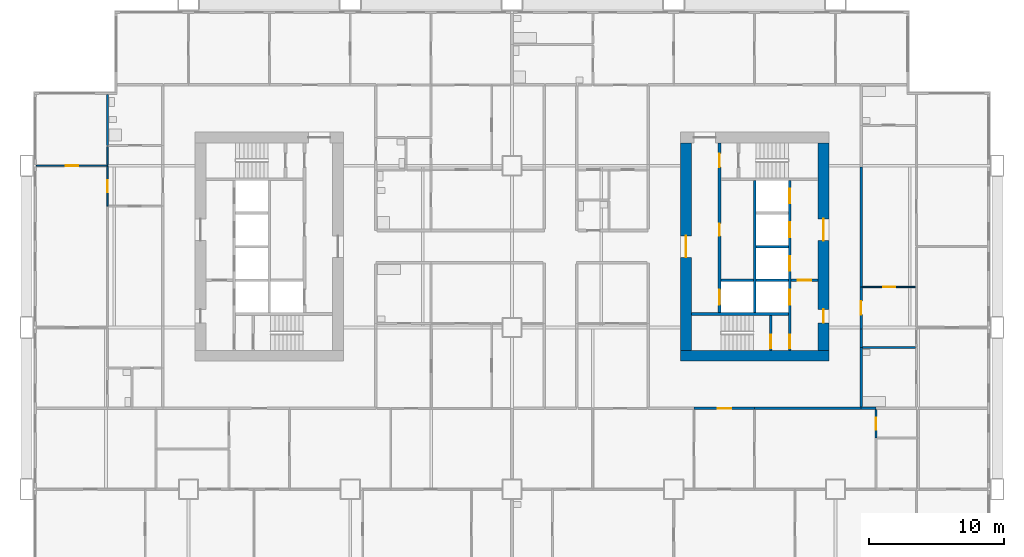
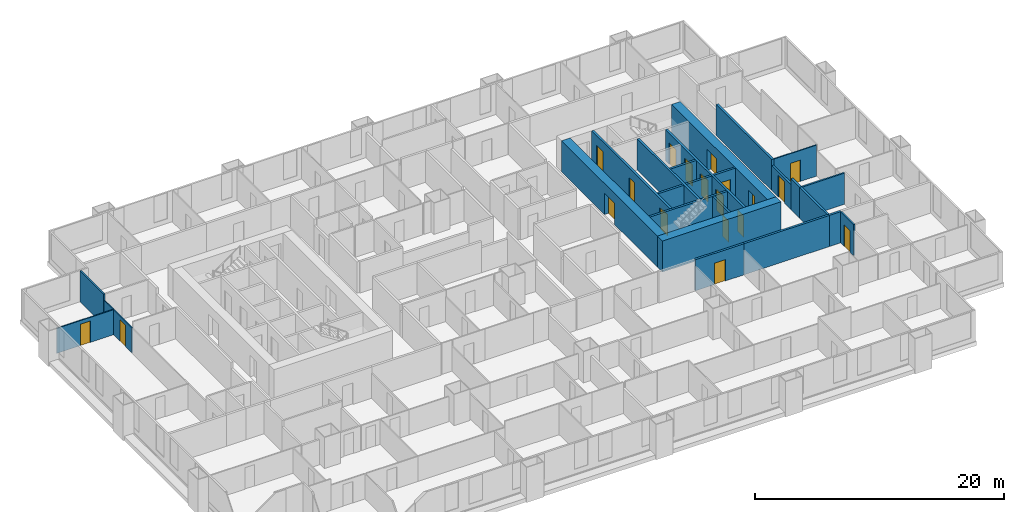
# One storey, part 7 of 14: 26 walls, 19 doors, 19 openings.
"""IFC4 building model written with IfcOpenShell, lengths in metres."""

from ifc_helpers import new_model, si_unit, direction, frame, frame_2d, origin, place, context, subcontext, project, spatial, rectangle, extrude, material, layer, layer_set, type_object, element, fill, save


model = new_model("IFC4")

# Units and contexts
model_context = context("Model", 3, precision=1e-05, world=origin(), true_north=direction((0.0, 1.0)))
body_context = subcontext(model_context, "Body", "Model", "MODEL_VIEW")
ifc_project = project(units=[si_unit("LENGTHUNIT", "METRE"), si_unit("AREAUNIT", "SQUARE_METRE"), si_unit("VOLUMEUNIT", "CUBIC_METRE"), si_unit("PLANEANGLEUNIT", "RADIAN"), si_unit("MASSUNIT", "GRAM", prefix="KILO")], contexts=[model_context])

# Site, building, storey
site_placement = place(None, origin())
site = spatial("IfcSite", under=ifc_project, at=site_placement, CompositionType="ELEMENT")
building_placement = place(site_placement, origin())
building = spatial("IfcBuilding", under=site, at=building_placement, Name="Kitamizu Gate Tower and Museum", CompositionType="ELEMENT")
storey_placement = place(building_placement, frame((0.0, 0.0, 85.199951171875)))
storey = spatial("IfcBuildingStorey", under=building, at=storey_placement, Name="L21", CompositionType="ELEMENT", Elevation=85.199951171875)

# Wall
ifc_material_1 = material(Name="Concrete Fc60", Category="concrete")
ifc_layer_1 = layer(ifc_material_1, 0.800048828125)
ifc_layer_set_1 = layer_set([ifc_layer_1], Name="Concrete Fc60")
wall_type_1 = type_object("IfcWallType", Name="Core wall 800", PredefinedType="SHEAR", material=ifc_layer_set_1)
wall_1_placement = place(storey_placement, frame((59.5, 21.89990234375, 0.0), z_axis=(0.0, 0.0, 1.0), x_axis=(-1.0, 0.0, 0.0)))
element("IfcWall", 1, at=wall_1_placement, inside=storey, type_object=wall_type_1, Name="Core wall ES", PredefinedType="SHEAR", context=body_context, shape_type="SweptSolid", body=[
    extrude(rectangle(XDim=11.0, YDim=0.800048828125, at=frame_2d((5.5, 0.0))), origin(), (0.0, 0.0, 1.0), 3.050048828125),
])

# Wall, openings, doors
wall_2_placement = place(storey_placement, frame((59.10009765625, 22.300048828125, 0.0), z_axis=(0.0, 0.0, 1.0), x_axis=(0.0, 1.0, 0.0)))
wall_2 = element("IfcWall", 2, at=wall_2_placement, inside=storey, type_object=wall_type_1, Name="Core wall EOUT", PredefinedType="SHEAR", context=body_context, shape_type="SweptSolid", body=[
    extrude(rectangle(XDim=15.39990234375, YDim=0.800048828125, at=frame_2d((7.699951171875, 0.0))), origin(), (0.0, 0.0, 1.0), 3.050048828125),
])
opening_1_placement = place(wall_2_placement, frame((8.14990234375, 0.0, 0.0)))
opening_1 = element("IfcOpeningElement", 3, at=opening_1_placement, cuts=wall_2, Name="Opening L21-091", PredefinedType="OPENING", context=body_context, shape_type="SweptSolid", body=[
    extrude(rectangle(XDim=1.60009765625, YDim=2.10009765625, at=frame_2d((0.800048828125, 1.050048828125))), frame((0.0, 0.41015625, 0.0), z_axis=(0.0, -1.0, 0.0), x_axis=(1.0, 0.0, 0.0)), (0.0, 0.0, 1.0), 0.820068359375),
])
opening_2_placement = place(wall_2_placement, frame((2.050048828125, 0.0, 0.0)))
opening_2 = element("IfcOpeningElement", 4, at=opening_2_placement, cuts=wall_2, Name="Opening L21-092", PredefinedType="OPENING", context=body_context, shape_type="SweptSolid", body=[
    extrude(rectangle(XDim=1.0, YDim=2.10009765625, at=frame_2d((0.5, 1.050048828125))), frame((0.0, 0.41015625, 0.0), z_axis=(0.0, -1.0, 0.0), x_axis=(1.0, 0.0, 0.0)), (0.0, 0.0, 1.0), 0.820068359375),
])
ifc_material_2 = material(Name="Timber door set", Category="wood")
door_type_1 = type_object("IfcDoorType", Name="Entrance door 1600", OperationType="DOUBLE_DOOR_SINGLE_SWING", PredefinedType="DOOR", material=ifc_material_2)
door_1_placement = place(opening_1_placement, origin())
door_1 = element("IfcDoor", 5, at=door_1_placement, inside=storey, type_object=door_type_1, Name="Lobby door L21-091", OperationType="DOUBLE_DOOR_SINGLE_SWING", OverallHeight=2.10009765625, OverallWidth=1.60009765625, PredefinedType="DOOR", context=body_context, shape_type="SweptSolid", body=[
    extrude(rectangle(XDim=1.60009765625, YDim=2.10009765625, at=frame_2d((0.800048828125, 1.050048828125))), frame((0.0, 0.02490234375, 0.0), z_axis=(0.0, -1.0, 0.0), x_axis=(1.0, 0.0, 0.0)), (0.0, 0.0, 1.0), 0.050048828125),
])
fill(opening_1, door_1)
ifc_material_3 = material(Name="Hollow metal door set")
door_type_2 = type_object("IfcDoorType", Name="Fire door 1000", OperationType="NOTDEFINED", PredefinedType="DOOR", material=ifc_material_3)
door_2_placement = place(opening_2_placement, origin())
door_2 = element("IfcDoor", 6, at=door_2_placement, inside=storey, type_object=door_type_2, Name="Fire-fighting lobby door L21-092", OperationType="SINGLE_SWING_RIGHT", OverallHeight=2.10009765625, OverallWidth=1.0, PredefinedType="DOOR", context=body_context, shape_type="SweptSolid", body=[
    extrude(rectangle(XDim=1.0, YDim=2.10009765625, at=frame_2d((0.5, 1.050048828125))), frame((0.0, 0.02490234375, 0.0), z_axis=(0.0, -1.0, 0.0), x_axis=(1.0, 0.0, 0.0)), (0.0, 0.0, 1.0), 0.050048828125),
])
fill(opening_2, door_2)

# Wall, opening, door
wall_3_placement = place(storey_placement, frame((48.89990234375, 22.300048828125, 0.0), z_axis=(0.0, 0.0, 1.0), x_axis=(0.0, 1.0, 0.0)))
wall_3 = element("IfcWall", 7, at=wall_3_placement, inside=storey, type_object=wall_type_1, Name="Core wall EARC", PredefinedType="SHEAR", context=body_context, shape_type="SweptSolid", body=[
    extrude(rectangle(XDim=15.39990234375, YDim=0.800048828125, at=frame_2d((7.699951171875, 0.0))), origin(), (0.0, 0.0, 1.0), 3.050048828125),
])
opening_3_placement = place(wall_3_placement, frame((6.89990234375, 0.0, 0.0)))
opening_3 = element("IfcOpeningElement", 8, at=opening_3_placement, cuts=wall_3, Name="Opening L21-094", PredefinedType="OPENING", context=body_context, shape_type="SweptSolid", body=[
    extrude(rectangle(XDim=1.60009765625, YDim=2.10009765625, at=frame_2d((0.800048828125, 1.050048828125))), frame((0.0, 0.41015625, 0.0), z_axis=(0.0, -1.0, 0.0), x_axis=(1.0, 0.0, 0.0)), (0.0, 0.0, 1.0), 0.820068359375),
])
door_3_placement = place(opening_3_placement, origin())
door_3 = element("IfcDoor", 9, at=door_3_placement, inside=storey, type_object=door_type_1, Name="Lobby door L21-094", OperationType="DOUBLE_DOOR_SINGLE_SWING", OverallHeight=2.10009765625, OverallWidth=1.60009765625, PredefinedType="DOOR", context=body_context, shape_type="SweptSolid", body=[
    extrude(rectangle(XDim=1.60009765625, YDim=2.10009765625, at=frame_2d((0.800048828125, 1.050048828125))), frame((0.0, 0.02490234375, 0.0), z_axis=(0.0, -1.0, 0.0), x_axis=(1.0, 0.0, 0.0)), (0.0, 0.0, 1.0), 0.050048828125),
])
fill(opening_3, door_3)

ifc_material_4 = material(Name="Gypsum board on galvanised stud")
ifc_layer_2 = layer(ifc_material_4, 0.10009765625)
ifc_layer_set_2 = layer_set([ifc_layer_2], Name="Gypsum board on galvanised stud")
wall_type_2 = type_object("IfcWallType", Name="Partition 100 NOT RATED", PredefinedType="PARTITIONING", material=ifc_layer_set_2)
wall_4_placement = place(storey_placement, frame((6.0, 36.0, 0.0), z_axis=(0.0, 0.0, 1.0), x_axis=(-1.0, 0.0, 0.0)))
wall_4 = element("IfcWall", 10, at=wall_4_placement, inside=storey, type_object=wall_type_2, Name="Partition L21-066", PredefinedType="PARTITIONING", context=body_context, shape_type="SweptSolid", body=[
    extrude(rectangle(XDim=5.280029296875, YDim=0.10009765625, at=frame_2d((2.64013671875, 0.0))), origin(), (0.0, 0.0, 1.0), 2.449951171875),
])
opening_4_placement = place(wall_4_placement, frame((2.18994140625, 0.0, 0.0)))
opening_4 = element("IfcOpeningElement", 11, at=opening_4_placement, cuts=wall_4, Name="Opening L21-026", PredefinedType="OPENING", context=body_context, shape_type="SweptSolid", body=[
    extrude(rectangle(XDim=0.89990234375, YDim=2.10009765625, at=frame_2d((0.449951171875, 1.050048828125))), frame((0.0, 0.06005859375, 0.0), z_axis=(0.0, -1.0, 0.0), x_axis=(1.0, 0.0, 0.0)), (0.0, 0.0, 1.0), 0.1201171875),
])
ifc_material_5 = material(Name="Timber door set", Category="wood")
door_type_3 = type_object("IfcDoorType", Name="Room door 900", OperationType="NOTDEFINED", PredefinedType="DOOR", material=ifc_material_5)
door_4_placement = place(opening_4_placement, frame((0.89990234375, 0.0, 0.0), x_axis=(-1.0, 0.0, 0.0)))
door_4 = element("IfcDoor", 12, at=door_4_placement, inside=storey, type_object=door_type_3, Name="Door L21-026", OperationType="SINGLE_SWING_LEFT", OverallHeight=2.10009765625, OverallWidth=0.89990234375, PredefinedType="DOOR", context=body_context, shape_type="SweptSolid", body=[
    extrude(rectangle(XDim=0.89990234375, YDim=2.10009765625, at=frame_2d((0.449951171875, 1.050048828125))), frame((0.0, 0.02490234375, 0.0), z_axis=(0.0, -1.0, 0.0), x_axis=(1.0, 0.0, 0.0)), (0.0, 0.0, 1.0), 0.050048828125),
])
fill(opening_4, door_4)

wall_5_placement = place(storey_placement, frame((6.0, 33.0, 0.0), z_axis=(0.0, 0.0, 1.0), x_axis=(0.0, 1.0, 0.0)))
wall_5 = element("IfcWall", 13, at=wall_5_placement, inside=storey, type_object=wall_type_2, Name="Partition L21-068", PredefinedType="PARTITIONING", context=body_context, shape_type="SweptSolid", body=[
    extrude(rectangle(XDim=2.949951171875, YDim=0.10009765625, at=frame_2d((1.47509765625, 0.0))), origin(), (0.0, 0.0, 1.0), 2.449951171875),
])
opening_5_placement = place(wall_5_placement, frame((1.02490234375, 0.0, 0.0)))
opening_5 = element("IfcOpeningElement", 14, at=opening_5_placement, cuts=wall_5, Name="Opening L21-022", PredefinedType="OPENING", context=body_context, shape_type="SweptSolid", body=[
    extrude(rectangle(XDim=0.89990234375, YDim=2.10009765625, at=frame_2d((0.449951171875, 1.050048828125))), frame((0.0, 0.06005859375, 0.0), z_axis=(0.0, -1.0, 0.0), x_axis=(1.0, 0.0, 0.0)), (0.0, 0.0, 1.0), 0.1201171875),
])
door_5_placement = place(opening_5_placement, origin())
door_5 = element("IfcDoor", 15, at=door_5_placement, inside=storey, type_object=door_type_3, Name="Door L21-022", OperationType="SINGLE_SWING_LEFT", OverallHeight=2.10009765625, OverallWidth=0.89990234375, PredefinedType="DOOR", context=body_context, shape_type="SweptSolid", body=[
    extrude(rectangle(XDim=0.89990234375, YDim=2.10009765625, at=frame_2d((0.449951171875, 1.050048828125))), frame((0.0, 0.02490234375, 0.0), z_axis=(0.0, -1.0, 0.0), x_axis=(1.0, 0.0, 0.0)), (0.0, 0.0, 1.0), 0.050048828125),
])
fill(opening_5, door_5)

# Wall
wall_6_placement = place(storey_placement, frame((6.0, 36.050048828125, 0.0), z_axis=(0.0, 0.0, 1.0), x_axis=(0.0, 1.0, 0.0)))
element("IfcWall", 16, at=wall_6_placement, inside=storey, type_object=wall_type_2, Name="Partition L21-069", PredefinedType="PARTITIONING", context=body_context, shape_type="SweptSolid", body=[
    extrude(rectangle(XDim=1.375, YDim=0.10009765625, at=frame_2d((0.6875, 0.0))), origin(), (0.0, 0.0, 1.0), 2.449951171875),
])

# Wall, opening, door
wall_7_placement = place(storey_placement, frame((65.949951171875, 27.0, 0.0), z_axis=(0.0, 0.0, 1.0), x_axis=(-1.0, 0.0, 0.0)))
wall_7 = element("IfcWall", 17, at=wall_7_placement, inside=storey, type_object=wall_type_2, Name="Partition L21-180", PredefinedType="PARTITIONING", context=body_context, shape_type="SweptSolid", body=[
    extrude(rectangle(XDim=3.949951171875, YDim=0.10009765625, at=frame_2d((1.97509765625, 0.0))), origin(), (0.0, 0.0, 1.0), 3.050048828125),
])
opening_6_placement = place(wall_7_placement, frame((1.52490234375, 0.0, 0.0)))
opening_6 = element("IfcOpeningElement", 18, at=opening_6_placement, cuts=wall_7, Name="Opening L21-061", PredefinedType="OPENING", context=body_context, shape_type="SweptSolid", body=[
    extrude(rectangle(XDim=0.89990234375, YDim=2.10009765625, at=frame_2d((0.449951171875, 1.050048828125))), frame((0.0, 0.06005859375, 0.0), z_axis=(0.0, -1.0, 0.0), x_axis=(1.0, 0.0, 0.0)), (0.0, 0.0, 1.0), 0.1201171875),
])
door_6_placement = place(opening_6_placement, origin())
door_6 = element("IfcDoor", 19, at=door_6_placement, inside=storey, type_object=door_type_3, Name="Door L21-061", OperationType="SINGLE_SWING_LEFT", OverallHeight=2.10009765625, OverallWidth=0.89990234375, PredefinedType="DOOR", context=body_context, shape_type="SweptSolid", body=[
    extrude(rectangle(XDim=0.89990234375, YDim=2.10009765625, at=frame_2d((0.449951171875, 1.050048828125))), frame((0.0, 0.02490234375, 0.0), z_axis=(0.0, -1.0, 0.0), x_axis=(1.0, 0.0, 0.0)), (0.0, 0.0, 1.0), 0.050048828125),
])
fill(opening_6, door_6)

# Wall
ifc_material_6 = material(Name="Gypsum board on galvanised stud")
ifc_layer_3 = layer(ifc_material_6, 0.14990234375)
ifc_layer_set_3 = layer_set([ifc_layer_3], Name="Gypsum board on galvanised stud")
wall_type_3 = type_object("IfcWallType", Name="Partition 150", PredefinedType="PARTITIONING", material=ifc_layer_set_3)
wall_8_placement = place(storey_placement, frame((6.0, 37.5, 0.0), z_axis=(0.0, 0.0, 1.0), x_axis=(0.0, 1.0, 0.0)))
element("IfcWall", 20, at=wall_8_placement, inside=storey, type_object=wall_type_3, Name="Partition L21-070", PredefinedType="PARTITIONING", context=body_context, shape_type="SweptSolid", body=[
    extrude(rectangle(XDim=3.780029296875, YDim=0.14990234375, at=frame_2d((1.89013671875, 0.0))), origin(), (0.0, 0.0, 1.0), 3.050048828125),
])

# Wall, opening, door
wall_9_placement = place(storey_placement, frame((63.0, 15.81396484375, 0.0), z_axis=(0.0, 0.0, 1.0), x_axis=(0.0, 1.0, 0.0)))
wall_9 = element("IfcWall", 21, at=wall_9_placement, inside=storey, type_object=wall_type_3, Name="Partition L21-154", PredefinedType="PARTITIONING", context=body_context, shape_type="SweptSolid", body=[
    extrude(rectangle(XDim=2.0859375, YDim=0.14990234375, at=frame_2d((1.04296875, 0.0))), origin(), (0.0, 0.0, 1.0), 3.050048828125),
])
opening_7_placement = place(wall_9_placement, frame((0.593017578125, 0.0, 0.0)))
opening_7 = element("IfcOpeningElement", 22, at=opening_7_placement, cuts=wall_9, Name="Opening L21-056", PredefinedType="OPENING", context=body_context, shape_type="SweptSolid", body=[
    extrude(rectangle(XDim=0.89990234375, YDim=2.10009765625, at=frame_2d((0.449951171875, 1.050048828125))), frame((0.0, 0.0849609375, 0.0), z_axis=(0.0, -1.0, 0.0), x_axis=(1.0, 0.0, 0.0)), (0.0, 0.0, 1.0), 0.169921875),
])
ifc_material_7 = material(Name="Timber door set", Category="wood")
door_type_4 = type_object("IfcDoorType", Name="Bathroom door 900", OperationType="NOTDEFINED", PredefinedType="DOOR", material=ifc_material_7)
door_7_placement = place(opening_7_placement, frame((0.89990234375, 0.0, 0.0), x_axis=(-1.0, 0.0, 0.0)))
door_7 = element("IfcDoor", 23, at=door_7_placement, inside=storey, type_object=door_type_4, Name="Bathroom door L21-056", OperationType="SINGLE_SWING_LEFT", OverallHeight=2.10009765625, OverallWidth=0.89990234375, PredefinedType="DOOR", context=body_context, shape_type="SweptSolid", body=[
    extrude(rectangle(XDim=0.89990234375, YDim=2.10009765625, at=frame_2d((0.449951171875, 1.050048828125))), frame((0.0, 0.02490234375, 0.0), z_axis=(0.0, -1.0, 0.0), x_axis=(1.0, 0.0, 0.0)), (0.0, 0.0, 1.0), 0.050048828125),
])
fill(opening_7, door_7)

# Wall
wall_10_placement = place(storey_placement, frame((65.925048828125, 22.5, 0.0), z_axis=(0.0, 0.0, 1.0), x_axis=(-1.0, 0.0, 0.0)))
element("IfcWall", 24, at=wall_10_placement, inside=storey, type_object=wall_type_3, Name="Partition L21-178", PredefinedType="PARTITIONING", context=body_context, shape_type="SweptSolid", body=[
    extrude(rectangle(XDim=3.925048828125, YDim=0.14990234375, at=frame_2d((1.96240234375, 0.0))), origin(), (0.0, 0.0, 1.0), 3.050048828125),
])

# Wall, opening, door
ifc_material_8 = material(Name="Gypsum board on galvanised stud")
ifc_layer_4 = layer(ifc_material_8, 0.199951171875)
ifc_layer_set_4 = layer_set([ifc_layer_4], Name="Gypsum board on galvanised stud")
wall_type_4 = type_object("IfcWallType", Name="Partition 200", PredefinedType="PARTITIONING", material=ifc_layer_set_4)
wall_11_placement = place(storey_placement, frame((54.0, 18.0, 0.0), z_axis=(0.0, 0.0, 1.0), x_axis=(-1.0, 0.0, 0.0)))
wall_11 = element("IfcWall", 25, at=wall_11_placement, inside=storey, type_object=wall_type_4, Name="Partition L21-152", PredefinedType="PARTITIONING", context=body_context, shape_type="SweptSolid", body=[
    extrude(rectangle(XDim=4.5, YDim=0.199951171875, at=frame_2d((2.25, 0.0))), origin(), (0.0, 0.0, 1.0), 3.050048828125),
])
opening_8_placement = place(wall_11_placement, frame((1.75, 0.0, 0.0)))
opening_8 = element("IfcOpeningElement", 26, at=opening_8_placement, cuts=wall_11, Name="Opening L21-041", PredefinedType="OPENING", context=body_context, shape_type="SweptSolid", body=[
    extrude(rectangle(XDim=1.0, YDim=2.10009765625, at=frame_2d((0.5, 1.050048828125))), frame((0.0, 0.10986328125, 0.0), z_axis=(0.0, -1.0, 0.0), x_axis=(1.0, 0.0, 0.0)), (0.0, 0.0, 1.0), 0.219970703125),
])
ifc_material_9 = material(Name="Timber door set", Category="wood")
door_type_5 = type_object("IfcDoorType", Name="Flat entrance door 1000", OperationType="NOTDEFINED", PredefinedType="DOOR", material=ifc_material_9)
door_8_placement = place(opening_8_placement, origin())
door_8 = element("IfcDoor", 27, at=door_8_placement, inside=storey, type_object=door_type_5, Name="Flat entrance door L21-041", OperationType="SINGLE_SWING_RIGHT", OverallHeight=2.10009765625, OverallWidth=1.0, PredefinedType="DOOR", context=body_context, shape_type="SweptSolid", body=[
    extrude(rectangle(XDim=1.0, YDim=2.10009765625, at=frame_2d((0.5, 1.050048828125))), frame((0.0, 0.02490234375, 0.0), z_axis=(0.0, -1.0, 0.0), x_axis=(1.0, 0.0, 0.0)), (0.0, 0.0, 1.0), 0.050048828125),
])
fill(opening_8, door_8)

# Walls
wall_12_placement = place(storey_placement, frame((63.0, 18.0, 0.0), z_axis=(0.0, 0.0, 1.0), x_axis=(-1.0, 0.0, 0.0)))
element("IfcWall", 28, at=wall_12_placement, inside=storey, type_object=wall_type_4, Name="Partition L21-155", PredefinedType="PARTITIONING", context=body_context, shape_type="SweptSolid", body=[
    extrude(rectangle(XDim=1.10009765625, YDim=0.199951171875, at=frame_2d((0.550048828125, 0.0))), origin(), (0.0, 0.0, 1.0), 3.050048828125),
])
wall_13_placement = place(storey_placement, frame((61.89990234375, 18.0, 0.0), z_axis=(0.0, 0.0, 1.0), x_axis=(-1.0, 0.0, 0.0)))
element("IfcWall", 29, at=wall_13_placement, inside=storey, type_object=wall_type_4, Name="Partition L21-156", PredefinedType="PARTITIONING", context=body_context, shape_type="SweptSolid", body=[
    extrude(rectangle(XDim=7.89990234375, YDim=0.199951171875, at=frame_2d((3.949951171875, 0.0))), origin(), (0.0, 0.0, 1.0), 3.050048828125),
])
wall_14_placement = place(storey_placement, frame((61.89990234375, 22.5, 0.0), z_axis=(0.0, 0.0, 1.0), x_axis=(0.0, -1.0, 0.0)))
element("IfcWall", 30, at=wall_14_placement, inside=storey, type_object=wall_type_4, Name="Partition L21-179", PredefinedType="PARTITIONING", context=body_context, shape_type="SweptSolid", body=[
    extrude(rectangle(XDim=4.39990234375, YDim=0.199951171875, at=frame_2d((2.199951171875, 0.0))), origin(), (0.0, 0.0, 1.0), 3.050048828125),
])

# Wall, opening, door
wall_15_placement = place(storey_placement, frame((61.89990234375, 27.0, 0.0), z_axis=(0.0, 0.0, 1.0), x_axis=(0.0, -1.0, 0.0)))
wall_15 = element("IfcWall", 31, at=wall_15_placement, inside=storey, type_object=wall_type_4, Name="Partition L21-181", PredefinedType="PARTITIONING", context=body_context, shape_type="SweptSolid", body=[
    extrude(rectangle(XDim=3.10009765625, YDim=0.199951171875, at=frame_2d((1.550048828125, 0.0))), origin(), (0.0, 0.0, 1.0), 2.449951171875),
])
opening_9_placement = place(wall_15_placement, frame((1.050048828125, 0.0, 0.0)))
opening_9 = element("IfcOpeningElement", 32, at=opening_9_placement, cuts=wall_15, Name="Opening L21-059", PredefinedType="OPENING", context=body_context, shape_type="SweptSolid", body=[
    extrude(rectangle(XDim=1.0, YDim=2.10009765625, at=frame_2d((0.5, 1.050048828125))), frame((0.0, 0.10986328125, 0.0), z_axis=(0.0, -1.0, 0.0), x_axis=(1.0, 0.0, 0.0)), (0.0, 0.0, 1.0), 0.219970703125),
])
door_9_placement = place(opening_9_placement, origin())
door_9 = element("IfcDoor", 33, at=door_9_placement, inside=storey, type_object=door_type_5, Name="Flat entrance door L21-059", OperationType="SINGLE_SWING_RIGHT", OverallHeight=2.10009765625, OverallWidth=1.0, PredefinedType="DOOR", context=body_context, shape_type="SweptSolid", body=[
    extrude(rectangle(XDim=1.0, YDim=2.10009765625, at=frame_2d((0.5, 1.050048828125))), frame((0.0, 0.02490234375, 0.0), z_axis=(0.0, -1.0, 0.0), x_axis=(1.0, 0.0, 0.0)), (0.0, 0.0, 1.0), 0.050048828125),
])
fill(opening_9, door_9)

# Walls
wall_16_placement = place(storey_placement, frame((61.89990234375, 23.89990234375, 0.0), z_axis=(0.0, 0.0, 1.0), x_axis=(0.0, -1.0, 0.0)))
element("IfcWall", 34, at=wall_16_placement, inside=storey, type_object=wall_type_4, Name="Partition L21-182", PredefinedType="PARTITIONING", context=body_context, shape_type="SweptSolid", body=[
    extrude(rectangle(XDim=1.39990234375, YDim=0.199951171875, at=frame_2d((0.699951171875, 0.0))), origin(), (0.0, 0.0, 1.0), 3.050048828125),
])
wall_17_placement = place(storey_placement, frame((61.89990234375, 35.89990234375, 0.0), z_axis=(0.0, 0.0, 1.0), x_axis=(0.0, -1.0, 0.0)))
element("IfcWall", 35, at=wall_17_placement, inside=storey, type_object=wall_type_4, Name="Partition L21-185", PredefinedType="PARTITIONING", context=body_context, shape_type="SweptSolid", body=[
    extrude(rectangle(XDim=8.89990234375, YDim=0.199951171875, at=frame_2d((4.449951171875, 0.0))), origin(), (0.0, 0.0, 1.0), 3.050048828125),
])

# Wall, openings, doors
ifc_material_10 = material(Name="Concrete Fc42", Category="concrete")
ifc_layer_5 = layer(ifc_material_10, 0.199951171875)
ifc_layer_set_5 = layer_set([ifc_layer_5], Name="Concrete Fc42")
wall_type_5 = type_object("IfcWallType", Name="Shaft wall 200", PredefinedType="SOLIDWALL", material=ifc_layer_set_5)
wall_18_placement = place(storey_placement, frame((56.60009765625, 22.300048828125, 0.0), z_axis=(0.0, 0.0, 1.0), x_axis=(0.0, 1.0, 0.0)))
wall_18 = element("IfcWall", 36, at=wall_18_placement, inside=storey, type_object=wall_type_5, Name="Shaft wall EWEST", PredefinedType="SOLIDWALL", context=body_context, shape_type="SweptSolid", body=[
    extrude(rectangle(XDim=12.599853515625, YDim=0.199951171875, at=frame_2d((6.2998046875, 0.0))), origin(), (0.0, 0.0, 1.0), 3.050048828125),
])
opening_10_placement = place(wall_18_placement, frame((3.39990234375, 0.0, 0.0)))
opening_10 = element("IfcOpeningElement", 37, at=opening_10_placement, cuts=wall_18, Name="Opening LD", PredefinedType="OPENING", context=body_context, shape_type="SweptSolid", body=[
    extrude(rectangle(XDim=1.10009765625, YDim=2.10009765625, at=frame_2d((0.550048828125, 1.050048828125))), frame((0.0, 0.10986328125, 0.0), z_axis=(0.0, -1.0, 0.0), x_axis=(1.0, 0.0, 0.0)), (0.0, 0.0, 1.0), 0.219970703125),
])
opening_11_placement = place(wall_18_placement, frame((5.89990234375, 0.0, 0.0)))
opening_11 = element("IfcOpeningElement", 38, at=opening_11_placement, cuts=wall_18, Name="Opening LD", PredefinedType="OPENING", context=body_context, shape_type="SweptSolid", body=[
    extrude(rectangle(XDim=1.10009765625, YDim=2.10009765625, at=frame_2d((0.550048828125, 1.050048828125))), frame((0.0, 0.10986328125, 0.0), z_axis=(0.0, -1.0, 0.0), x_axis=(1.0, 0.0, 0.0)), (0.0, 0.0, 1.0), 0.219970703125),
])
opening_12_placement = place(wall_18_placement, frame((8.39990234375, 0.0, 0.0)))
opening_12 = element("IfcOpeningElement", 39, at=opening_12_placement, cuts=wall_18, Name="Opening LD", PredefinedType="OPENING", context=body_context, shape_type="SweptSolid", body=[
    extrude(rectangle(XDim=1.10009765625, YDim=2.10009765625, at=frame_2d((0.550048828125, 1.050048828125))), frame((0.0, 0.10986328125, 0.0), z_axis=(0.0, -1.0, 0.0), x_axis=(1.0, 0.0, 0.0)), (0.0, 0.0, 1.0), 0.219970703125),
])
opening_13_placement = place(wall_18_placement, frame((10.89990234375, 0.0, 0.0)))
opening_13 = element("IfcOpeningElement", 40, at=opening_13_placement, cuts=wall_18, Name="Opening LD", PredefinedType="OPENING", context=body_context, shape_type="SweptSolid", body=[
    extrude(rectangle(XDim=1.10009765625, YDim=2.10009765625, at=frame_2d((0.550048828125, 1.050048828125))), frame((0.0, 0.10986328125, 0.0), z_axis=(0.0, -1.0, 0.0), x_axis=(1.0, 0.0, 0.0)), (0.0, 0.0, 1.0), 0.219970703125),
])
opening_14_placement = place(wall_18_placement, frame((0.14990234375, 0.0, 0.0)))
opening_14 = element("IfcOpeningElement", 41, at=opening_14_placement, cuts=wall_18, Name="Opening L21-087", PredefinedType="OPENING", context=body_context, shape_type="SweptSolid", body=[
    extrude(rectangle(XDim=1.0, YDim=2.10009765625, at=frame_2d((0.5, 1.050048828125))), frame((0.0, 0.10986328125, 0.0), z_axis=(0.0, -1.0, 0.0), x_axis=(1.0, 0.0, 0.0)), (0.0, 0.0, 1.0), 0.219970703125),
])
door_10_placement = place(opening_14_placement, origin())
door_10 = element("IfcDoor", 42, at=door_10_placement, inside=storey, type_object=door_type_2, Name="Stair lobby door L21-087", OperationType="SINGLE_SWING_RIGHT", OverallHeight=2.10009765625, OverallWidth=1.0, PredefinedType="DOOR", context=body_context, shape_type="SweptSolid", body=[
    extrude(rectangle(XDim=1.0, YDim=2.10009765625, at=frame_2d((0.5, 1.050048828125))), frame((0.0, 0.02490234375, 0.0), z_axis=(0.0, -1.0, 0.0), x_axis=(1.0, 0.0, 0.0)), (0.0, 0.0, 1.0), 0.050048828125),
])
fill(opening_14, door_10)
ifc_material_11 = material(Name="Hollow metal door set")
door_type_6 = type_object("IfcDoorType", Name="Landing door 1100", OperationType="SLIDING_TO_LEFT", PredefinedType="DOOR", material=ifc_material_11)
door_11_placement = place(opening_10_placement, origin())
door_11 = element("IfcDoor", 43, at=door_11_placement, inside=storey, type_object=door_type_6, Name="Landing door EFF1", OperationType="SLIDING_TO_LEFT", OverallHeight=2.10009765625, OverallWidth=1.10009765625, PredefinedType="DOOR", context=body_context, shape_type="SweptSolid", body=[
    extrude(rectangle(XDim=1.10009765625, YDim=2.10009765625, at=frame_2d((0.550048828125, 1.050048828125))), frame((0.0, 0.02490234375, 0.0), z_axis=(0.0, -1.0, 0.0), x_axis=(1.0, 0.0, 0.0)), (0.0, 0.0, 1.0), 0.050048828125),
])
fill(opening_10, door_11)
door_12_placement = place(opening_11_placement, origin())
door_12 = element("IfcDoor", 44, at=door_12_placement, inside=storey, type_object=door_type_6, Name="Landing door EL1", OperationType="SLIDING_TO_LEFT", OverallHeight=2.10009765625, OverallWidth=1.10009765625, PredefinedType="DOOR", context=body_context, shape_type="SweptSolid", body=[
    extrude(rectangle(XDim=1.10009765625, YDim=2.10009765625, at=frame_2d((0.550048828125, 1.050048828125))), frame((0.0, 0.02490234375, 0.0), z_axis=(0.0, -1.0, 0.0), x_axis=(1.0, 0.0, 0.0)), (0.0, 0.0, 1.0), 0.050048828125),
])
fill(opening_11, door_12)
door_13_placement = place(opening_12_placement, origin())
door_13 = element("IfcDoor", 45, at=door_13_placement, inside=storey, type_object=door_type_6, Name="Landing door EL2", OperationType="SLIDING_TO_LEFT", OverallHeight=2.10009765625, OverallWidth=1.10009765625, PredefinedType="DOOR", context=body_context, shape_type="SweptSolid", body=[
    extrude(rectangle(XDim=1.10009765625, YDim=2.10009765625, at=frame_2d((0.550048828125, 1.050048828125))), frame((0.0, 0.02490234375, 0.0), z_axis=(0.0, -1.0, 0.0), x_axis=(1.0, 0.0, 0.0)), (0.0, 0.0, 1.0), 0.050048828125),
])
fill(opening_12, door_13)
door_14_placement = place(opening_13_placement, origin())
door_14 = element("IfcDoor", 46, at=door_14_placement, inside=storey, type_object=door_type_6, Name="Landing door EL3", OperationType="SLIDING_TO_LEFT", OverallHeight=2.10009765625, OverallWidth=1.10009765625, PredefinedType="DOOR", context=body_context, shape_type="SweptSolid", body=[
    extrude(rectangle(XDim=1.10009765625, YDim=2.10009765625, at=frame_2d((0.550048828125, 1.050048828125))), frame((0.0, 0.02490234375, 0.0), z_axis=(0.0, -1.0, 0.0), x_axis=(1.0, 0.0, 0.0)), (0.0, 0.0, 1.0), 0.050048828125),
])
fill(opening_13, door_14)

wall_19_placement = place(storey_placement, frame((51.39990234375, 25.10009765625, 0.0), z_axis=(0.0, 0.0, 1.0), x_axis=(0.0, 1.0, 0.0)))
wall_19 = element("IfcWall", 47, at=wall_19_placement, inside=storey, type_object=wall_type_5, Name="Shaft wall EEAST", PredefinedType="SOLIDWALL", context=body_context, shape_type="SweptSolid", body=[
    extrude(rectangle(XDim=12.599853515625, YDim=0.199951171875, at=frame_2d((6.2998046875, 0.0))), origin(), (0.0, 0.0, 1.0), 3.050048828125),
])
opening_15_placement = place(wall_19_placement, frame((0.60009765625, 0.0, 0.0)))
opening_15 = element("IfcOpeningElement", 48, at=opening_15_placement, cuts=wall_19, Name="Opening LD", PredefinedType="OPENING", context=body_context, shape_type="SweptSolid", body=[
    extrude(rectangle(XDim=1.10009765625, YDim=2.10009765625, at=frame_2d((0.550048828125, 1.050048828125))), frame((0.0, 0.10986328125, 0.0), z_axis=(0.0, -1.0, 0.0), x_axis=(1.0, 0.0, 0.0)), (0.0, 0.0, 1.0), 0.219970703125),
])
opening_16_placement = place(wall_19_placement, frame((10.800048828125, 0.0, 0.0)))
opening_16 = element("IfcOpeningElement", 49, at=opening_16_placement, cuts=wall_19, Name="Opening L21-088", PredefinedType="OPENING", context=body_context, shape_type="SweptSolid", body=[
    extrude(rectangle(XDim=1.0, YDim=2.10009765625, at=frame_2d((0.5, 1.050048828125))), frame((0.0, 0.10986328125, 0.0), z_axis=(0.0, -1.0, 0.0), x_axis=(1.0, 0.0, 0.0)), (0.0, 0.0, 1.0), 0.219970703125),
])
opening_17_placement = place(wall_19_placement, frame((5.699951171875, 0.0, 0.0)))
opening_17 = element("IfcOpeningElement", 50, at=opening_17_placement, cuts=wall_19, Name="Opening L21-095", PredefinedType="OPENING", context=body_context, shape_type="SweptSolid", body=[
    extrude(rectangle(XDim=0.89990234375, YDim=2.10009765625, at=frame_2d((0.449951171875, 1.050048828125))), frame((0.0, 0.10986328125, 0.0), z_axis=(0.0, -1.0, 0.0), x_axis=(1.0, 0.0, 0.0)), (0.0, 0.0, 1.0), 0.219970703125),
])
door_15_placement = place(opening_16_placement, frame((1.0, 0.0, 0.0), x_axis=(-1.0, 0.0, 0.0)))
door_15 = element("IfcDoor", 51, at=door_15_placement, inside=storey, type_object=door_type_2, Name="Stair lobby door L21-088", OperationType="SINGLE_SWING_RIGHT", OverallHeight=2.10009765625, OverallWidth=1.0, PredefinedType="DOOR", context=body_context, shape_type="SweptSolid", body=[
    extrude(rectangle(XDim=1.0, YDim=2.10009765625, at=frame_2d((0.5, 1.050048828125))), frame((0.0, 0.02490234375, 0.0), z_axis=(0.0, -1.0, 0.0), x_axis=(1.0, 0.0, 0.0)), (0.0, 0.0, 1.0), 0.050048828125),
])
fill(opening_16, door_15)
door_16_placement = place(opening_15_placement, origin())
door_16 = element("IfcDoor", 52, at=door_16_placement, inside=storey, type_object=door_type_6, Name="Landing door ESV1", OperationType="SLIDING_TO_LEFT", OverallHeight=2.10009765625, OverallWidth=1.10009765625, PredefinedType="DOOR", context=body_context, shape_type="SweptSolid", body=[
    extrude(rectangle(XDim=1.10009765625, YDim=2.10009765625, at=frame_2d((0.550048828125, 1.050048828125))), frame((0.0, 0.02490234375, 0.0), z_axis=(0.0, -1.0, 0.0), x_axis=(1.0, 0.0, 0.0)), (0.0, 0.0, 1.0), 0.050048828125),
])
fill(opening_15, door_16)
ifc_material_12 = material(Name="Timber door set", Category="wood")
door_type_7 = type_object("IfcDoorType", Name="Service door 900", OperationType="NOTDEFINED", PredefinedType="DOOR", material=ifc_material_12)
door_17_placement = place(opening_17_placement, frame((0.89990234375, 0.0, 0.0), x_axis=(-1.0, 0.0, 0.0)))
door_17 = element("IfcDoor", 53, at=door_17_placement, inside=storey, type_object=door_type_7, Name="Service door L21-095", OperationType="SINGLE_SWING_RIGHT", OverallHeight=2.10009765625, OverallWidth=0.89990234375, PredefinedType="DOOR", context=body_context, shape_type="SweptSolid", body=[
    extrude(rectangle(XDim=0.89990234375, YDim=2.10009765625, at=frame_2d((0.449951171875, 1.050048828125))), frame((0.0, 0.02490234375, 0.0), z_axis=(0.0, -1.0, 0.0), x_axis=(1.0, 0.0, 0.0)), (0.0, 0.0, 1.0), 0.050048828125),
])
fill(opening_17, door_17)

# Walls
wall_20_placement = place(storey_placement, frame((54.0, 25.10009765625, 0.0), z_axis=(0.0, 0.0, 1.0), x_axis=(0.0, 1.0, 0.0)))
element("IfcWall", 54, at=wall_20_placement, inside=storey, type_object=wall_type_5, Name="Shaft wall EMID", PredefinedType="SOLIDWALL", context=body_context, shape_type="SweptSolid", body=[
    extrude(rectangle(XDim=9.7998046875, YDim=0.199951171875, at=frame_2d((4.89990234375, 0.0))), origin(), (0.0, 0.0, 1.0), 3.050048828125),
])
wall_21_placement = place(storey_placement, frame((56.5, 25.0, 0.0), z_axis=(0.0, 0.0, 1.0), x_axis=(-1.0, 0.0, 0.0)))
element("IfcWall", 55, at=wall_21_placement, inside=storey, type_object=wall_type_5, Name="Shaft wall ESB", PredefinedType="SOLIDWALL", context=body_context, shape_type="SweptSolid", body=[
    extrude(rectangle(XDim=7.199951171875, YDim=0.199951171875, at=frame_2d((3.60009765625, 0.0))), origin(), (0.0, 0.0, 1.0), 3.050048828125),
])

# Wall, opening, door
wall_22_placement = place(storey_placement, frame((58.699951171875, 27.5, 0.0), z_axis=(0.0, 0.0, 1.0), x_axis=(-1.0, 0.0, 0.0)))
wall_22 = element("IfcWall", 56, at=wall_22_placement, inside=storey, type_object=wall_type_5, Name="Shaft wall EFFN", PredefinedType="SOLIDWALL", context=body_context, shape_type="SweptSolid", body=[
    extrude(rectangle(XDim=2.0, YDim=0.199951171875, at=frame_2d((1.0, 0.0))), origin(), (0.0, 0.0, 1.0), 3.050048828125),
])
opening_18_placement = place(wall_22_placement, frame((0.5, 0.0, 0.0)))
opening_18 = element("IfcOpeningElement", 57, at=opening_18_placement, cuts=wall_22, Name="Opening L21-090", PredefinedType="OPENING", context=body_context, shape_type="SweptSolid", body=[
    extrude(rectangle(XDim=1.0, YDim=2.10009765625, at=frame_2d((0.5, 1.050048828125))), frame((0.0, 0.10986328125, 0.0), z_axis=(0.0, -1.0, 0.0), x_axis=(1.0, 0.0, 0.0)), (0.0, 0.0, 1.0), 0.219970703125),
])
door_18_placement = place(opening_18_placement, origin())
door_18 = element("IfcDoor", 58, at=door_18_placement, inside=storey, type_object=door_type_2, Name="Fire-fighting lobby door L21-090", OperationType="SINGLE_SWING_LEFT", OverallHeight=2.10009765625, OverallWidth=1.0, PredefinedType="DOOR", context=body_context, shape_type="SweptSolid", body=[
    extrude(rectangle(XDim=1.0, YDim=2.10009765625, at=frame_2d((0.5, 1.050048828125))), frame((0.0, 0.02490234375, 0.0), z_axis=(0.0, -1.0, 0.0), x_axis=(1.0, 0.0, 0.0)), (0.0, 0.0, 1.0), 0.050048828125),
])
fill(opening_18, door_18)

wall_23_placement = place(storey_placement, frame((55.199951171875, 22.300048828125, 0.0), z_axis=(0.0, 0.0, 1.0), x_axis=(0.0, 1.0, 0.0)))
wall_23 = element("IfcWall", 59, at=wall_23_placement, inside=storey, type_object=wall_type_5, Name="Shaft wall ESZ", PredefinedType="SOLIDWALL", context=body_context, shape_type="SweptSolid", body=[
    extrude(rectangle(XDim=2.599853515625, YDim=0.199951171875, at=frame_2d((1.2998046875, 0.0))), origin(), (0.0, 0.0, 1.0), 3.050048828125),
])
opening_19_placement = place(wall_23_placement, frame((0.14990234375, 0.0, 0.0)))
opening_19 = element("IfcOpeningElement", 60, at=opening_19_placement, cuts=wall_23, Name="Opening L21-086", PredefinedType="OPENING", context=body_context, shape_type="SweptSolid", body=[
    extrude(rectangle(XDim=1.0, YDim=2.10009765625, at=frame_2d((0.5, 1.050048828125))), frame((0.0, 0.10986328125, 0.0), z_axis=(0.0, -1.0, 0.0), x_axis=(1.0, 0.0, 0.0)), (0.0, 0.0, 1.0), 0.219970703125),
])
door_19_placement = place(opening_19_placement, origin())
door_19 = element("IfcDoor", 61, at=door_19_placement, inside=storey, type_object=door_type_2, Name="Stair door L21-086", OperationType="SINGLE_SWING_RIGHT", OverallHeight=2.10009765625, OverallWidth=1.0, PredefinedType="DOOR", context=body_context, shape_type="SweptSolid", body=[
    extrude(rectangle(XDim=1.0, YDim=2.10009765625, at=frame_2d((0.5, 1.050048828125))), frame((0.0, 0.02490234375, 0.0), z_axis=(0.0, -1.0, 0.0), x_axis=(1.0, 0.0, 0.0)), (0.0, 0.0, 1.0), 0.050048828125),
])
fill(opening_19, door_19)

# Walls
for number, where, z_axis, x_axis, name in (
    (62, (56.5, 27.5, 0.0), (0.0, 0.0, 1.0), (-1.0, 0.0, 0.0), "Shaft wall EDVW0"),
    (63, (56.5, 30.0, 0.0), (0.0, 0.0, 1.0), (-1.0, 0.0, 0.0), "Shaft wall EDVW1"),
    (64, (53.89990234375, 27.5, 0.0), (0.0, 0.0, 1.0), (-1.0, 0.0, 0.0), "Shaft wall EDVE0"),
):
    element("IfcWall", number, at=place(storey_placement, frame(where, z_axis=z_axis, x_axis=x_axis)), inside=storey, type_object=wall_type_5, Name=name, PredefinedType="SOLIDWALL", context=body_context, shape_type="SweptSolid", body=[
        extrude(rectangle(XDim=2.39990234375, YDim=0.199951171875, at=frame_2d((1.199951171875, 0.0))), origin(), (0.0, 0.0, 1.0), 3.050048828125),
    ])

save(model, "model.ifc")
